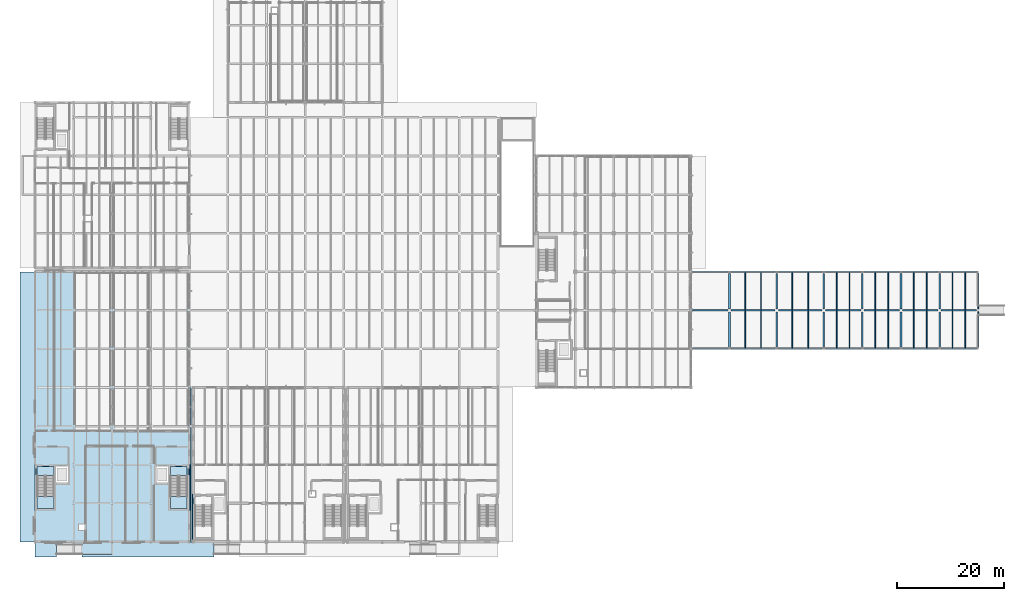
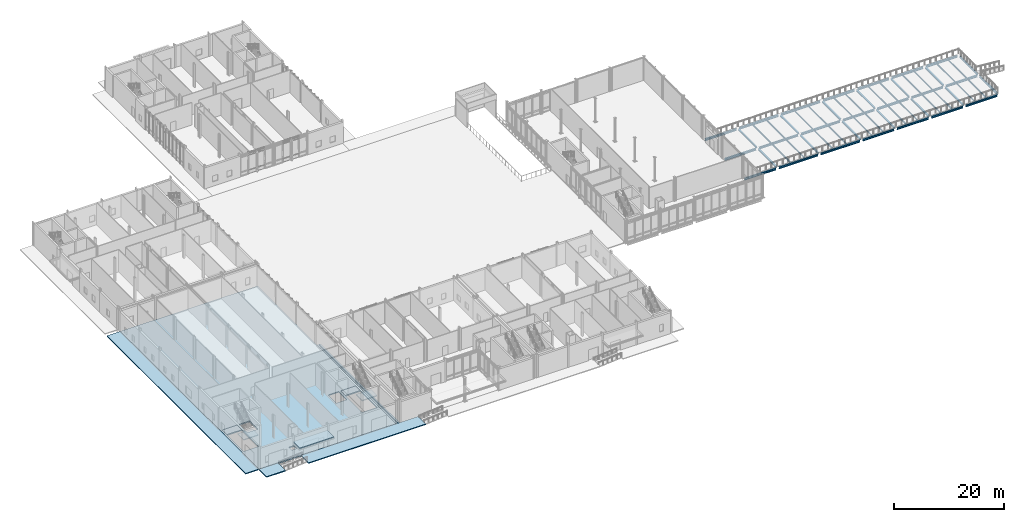
# One storey, part 39 of 89: 59 beams, 11 slabs, 2 elements without a shape of their own.
"""IFC4 building model written with IfcOpenShell, lengths in metres."""

from ifc_helpers import new_model, si_unit, direction, frame, origin, origin_2d, place, context, subcontext, project, spatial, polyline, i_section, outline, extrude, material, layer, layer_set, material_profile, profile_set, type_object, element, aggregate, save


model = new_model("IFC4")

# Units and contexts
model_context = context("Model", 3, precision=1e-05, world=origin(), true_north=direction((0.0, 1.0)))
body_context = subcontext(model_context, "Body", "Model", "MODEL_VIEW")
ifc_project = project(units=[si_unit("LENGTHUNIT", "METRE"), si_unit("AREAUNIT", "SQUARE_METRE"), si_unit("VOLUMEUNIT", "CUBIC_METRE"), si_unit("PLANEANGLEUNIT", "RADIAN"), si_unit("MASSUNIT", "GRAM", prefix="KILO")], contexts=[model_context])

# Site, building, storey
site_placement = place(None, origin())
site = spatial("IfcSite", under=ifc_project, at=site_placement, CompositionType="ELEMENT")
building_placement = place(site_placement, origin())
building = spatial("IfcBuilding", under=site, at=building_placement, Name="Zarrinpeak Specialist Clinic", CompositionType="ELEMENT")
storey_placement = place(building_placement, origin())
storey = spatial("IfcBuildingStorey", under=building, at=storey_placement, Name="L00", CompositionType="ELEMENT", Elevation=0.0)

# Beams
ifc_material_1 = material(Name="Steel S355", Category="steel")
ifc_material_profile_1 = material_profile(ifc_material_1, i_section(OverallWidth=0.300048828125, OverallDepth=0.2900390625, WebThickness=0.008544921875, FlangeThickness=0.013916015625, FilletRadius=0.027099609375, at=origin_2d()), Name="HEA 300")
ifc_profile_set_1 = profile_set([ifc_material_profile_1], Name="Steel S355")
beam_type_1 = type_object("IfcBeamType", Name="BM-HEA300", PredefinedType="BEAM", material=ifc_profile_set_1)
for number, where, z_axis, x_axis, name in (
    (1, (129.60009765625, 36.298095703125, -0.364990234375), (0.0, 1.0, 0.0), (-1.0, 0.0, 0.0), "L00 Primary Beam BM-L00-Y0399"),
    (2, (129.60009765625, 43.498046875, -0.364990234375), (0.0, 1.0, 0.0), (-1.0, 0.0, 0.0), "L00 Primary Beam BM-L00-Y0400"),
    (3, (138.39990234375, 36.298095703125, -0.364990234375), (0.0, 1.0, 0.0), (-1.0, 0.0, 0.0), "L00 Primary Beam BM-L00-Y0401"),
    (4, (138.39990234375, 43.498046875, -0.364990234375), (0.0, 1.0, 0.0), (-1.0, 0.0, 0.0), "L00 Primary Beam BM-L00-Y0402"),
    (5, (147.199951171875, 36.298095703125, -0.364990234375), (0.0, 1.0, 0.0), (-1.0, 0.0, 0.0), "L00 Primary Beam BM-L00-Y0403"),
    (6, (147.199951171875, 43.498046875, -0.364990234375), (0.0, 1.0, 0.0), (-1.0, 0.0, 0.0), "L00 Primary Beam BM-L00-Y0404"),
    (7, (154.39990234375, 36.298095703125, -0.364990234375), (0.0, 1.0, 0.0), (-1.0, 0.0, 0.0), "L00 Primary Beam BM-L00-Y0405"),
    (8, (154.39990234375, 43.498046875, -0.364990234375), (0.0, 1.0, 0.0), (-1.0, 0.0, 0.0), "L00 Primary Beam BM-L00-Y0406"),
    (9, (161.60009765625, 36.298095703125, -0.364990234375), (0.0, 1.0, 0.0), (-1.0, 0.0, 0.0), "L00 Primary Beam BM-L00-Y0407"),
    (10, (161.60009765625, 43.498046875, -0.364990234375), (0.0, 1.0, 0.0), (-1.0, 0.0, 0.0), "L00 Primary Beam BM-L00-Y0408"),
    (11, (168.800048828125, 36.298095703125, -0.364990234375), (0.0, 1.0, 0.0), (-1.0, 0.0, 0.0), "L00 Primary Beam BM-L00-Y0409"),
    (12, (168.800048828125, 43.498046875, -0.364990234375), (0.0, 1.0, 0.0), (-1.0, 0.0, 0.0), "L00 Primary Beam BM-L00-Y0410"),
):
    element("IfcBeam", number, at=place(storey_placement, frame(where, z_axis=z_axis, x_axis=x_axis)), inside=storey, type_object=beam_type_1, Name=name, PredefinedType="BEAM", context=body_context, shape_type="SweptSolid", body=[
        extrude(i_section(OverallWidth=0.300048828125, OverallDepth=0.2900390625, WebThickness=0.008544921875, FlangeThickness=0.013916015625, FilletRadius=0.027099609375, at=origin_2d()), origin(), (0.0, 0.0, 1.0), 6.60400390625),
    ])
ifc_material_profile_2 = material_profile(ifc_material_1, i_section(OverallWidth=0.300048828125, OverallDepth=0.43994140625, WebThickness=0.011474609375, FlangeThickness=0.02099609375, FilletRadius=0.027099609375, at=origin_2d()), Name="HEA 450")
ifc_profile_set_2 = profile_set([ifc_material_profile_2], Name="Steel S355")
beam_type_2 = type_object("IfcBeamType", Name="BM-HEA450", PredefinedType="BEAM", material=ifc_profile_set_2)
beam_placement = place(storey_placement, frame((122.697998046875, 36.0, -0.43994140625), z_axis=(1.0, 0.0, 0.0), x_axis=(0.0, 1.0, 0.0)))
element("IfcBeam", 13, at=beam_placement, inside=storey, type_object=beam_type_2, Name="L00 Primary Floor Girder BM-L00-X0071", PredefinedType="BEAM", context=body_context, shape_type="SweptSolid", body=[
    extrude(i_section(OverallWidth=0.300048828125, OverallDepth=0.43994140625, WebThickness=0.011474609375, FlangeThickness=0.02099609375, FilletRadius=0.027099609375, at=origin_2d()), origin(), (0.0, 0.0, 1.0), 6.60400390625),
])
for number, where, z_axis, x_axis, name in (
    (14, (129.89794921875, 36.0, -0.43994140625), (1.0, 0.0, 0.0), (0.0, 1.0, 0.0), "L00 Primary Floor Girder BM-L00-X0072"),
    (15, (138.697998046875, 36.0, -0.43994140625), (1.0, 0.0, 0.0), (0.0, 1.0, 0.0), "L00 Primary Floor Girder BM-L00-X0073"),
):
    element("IfcBeam", number, at=place(storey_placement, frame(where, z_axis=z_axis, x_axis=x_axis)), inside=storey, type_object=beam_type_2, Name=name, PredefinedType="BEAM", context=body_context, shape_type="SweptSolid", body=[
        extrude(i_section(OverallWidth=0.300048828125, OverallDepth=0.43994140625, WebThickness=0.011474609375, FlangeThickness=0.02099609375, FilletRadius=0.027099609375, at=origin_2d()), origin(), (0.0, 0.0, 1.0), 8.2041015625),
    ])
for number, where, z_axis, x_axis, name in (
    (16, (147.498046875, 36.0, -0.43994140625), (1.0, 0.0, 0.0), (0.0, 1.0, 0.0), "L00 Primary Floor Girder BM-L00-X0074"),
    (17, (154.697998046875, 36.0, -0.43994140625), (1.0, 0.0, 0.0), (0.0, 1.0, 0.0), "L00 Primary Floor Girder BM-L00-X0075"),
    (18, (161.89794921875, 36.0, -0.43994140625), (1.0, 0.0, 0.0), (0.0, 1.0, 0.0), "L00 Primary Floor Girder BM-L00-X0076"),
    (19, (169.097900390625, 36.0, -0.43994140625), (1.0, 0.0, 0.0), (0.0, 1.0, 0.0), "L00 Primary Floor Girder BM-L00-X0077"),
    (20, (122.697998046875, 43.199951171875, -0.43994140625), (1.0, 0.0, 0.0), (0.0, 1.0, 0.0), "L00 Primary Floor Girder BM-L00-X0095"),
):
    element("IfcBeam", number, at=place(storey_placement, frame(where, z_axis=z_axis, x_axis=x_axis)), inside=storey, type_object=beam_type_2, Name=name, PredefinedType="BEAM", context=body_context, shape_type="SweptSolid", body=[
        extrude(i_section(OverallWidth=0.300048828125, OverallDepth=0.43994140625, WebThickness=0.011474609375, FlangeThickness=0.02099609375, FilletRadius=0.027099609375, at=origin_2d()), origin(), (0.0, 0.0, 1.0), 6.60400390625),
    ])
for number, where, z_axis, x_axis, name in (
    (21, (129.89794921875, 43.199951171875, -0.43994140625), (1.0, 0.0, 0.0), (0.0, 1.0, 0.0), "L00 Primary Floor Girder BM-L00-X0096"),
    (22, (138.697998046875, 43.199951171875, -0.43994140625), (1.0, 0.0, 0.0), (0.0, 1.0, 0.0), "L00 Primary Floor Girder BM-L00-X0097"),
):
    element("IfcBeam", number, at=place(storey_placement, frame(where, z_axis=z_axis, x_axis=x_axis)), inside=storey, type_object=beam_type_2, Name=name, PredefinedType="BEAM", context=body_context, shape_type="SweptSolid", body=[
        extrude(i_section(OverallWidth=0.300048828125, OverallDepth=0.43994140625, WebThickness=0.011474609375, FlangeThickness=0.02099609375, FilletRadius=0.027099609375, at=origin_2d()), origin(), (0.0, 0.0, 1.0), 8.2041015625),
    ])
for number, where, z_axis, x_axis, name in (
    (23, (147.498046875, 43.199951171875, -0.43994140625), (1.0, 0.0, 0.0), (0.0, 1.0, 0.0), "L00 Primary Floor Girder BM-L00-X0098"),
    (24, (154.697998046875, 43.199951171875, -0.43994140625), (1.0, 0.0, 0.0), (0.0, 1.0, 0.0), "L00 Primary Floor Girder BM-L00-X0099"),
    (25, (161.89794921875, 43.199951171875, -0.43994140625), (1.0, 0.0, 0.0), (0.0, 1.0, 0.0), "L00 Primary Floor Girder BM-L00-X0100"),
    (26, (169.097900390625, 43.199951171875, -0.43994140625), (1.0, 0.0, 0.0), (0.0, 1.0, 0.0), "L00 Primary Floor Girder BM-L00-X0101"),
    (27, (122.697998046875, 50.39990234375, -0.43994140625), (1.0, 0.0, 0.0), (0.0, 1.0, 0.0), "L00 Primary Floor Girder BM-L00-X0117"),
):
    element("IfcBeam", number, at=place(storey_placement, frame(where, z_axis=z_axis, x_axis=x_axis)), inside=storey, type_object=beam_type_2, Name=name, PredefinedType="BEAM", context=body_context, shape_type="SweptSolid", body=[
        extrude(i_section(OverallWidth=0.300048828125, OverallDepth=0.43994140625, WebThickness=0.011474609375, FlangeThickness=0.02099609375, FilletRadius=0.027099609375, at=origin_2d()), origin(), (0.0, 0.0, 1.0), 6.60400390625),
    ])
for number, where, z_axis, x_axis, name in (
    (28, (129.89794921875, 50.39990234375, -0.43994140625), (1.0, 0.0, 0.0), (0.0, 1.0, 0.0), "L00 Primary Floor Girder BM-L00-X0118"),
    (29, (138.697998046875, 50.39990234375, -0.43994140625), (1.0, 0.0, 0.0), (0.0, 1.0, 0.0), "L00 Primary Floor Girder BM-L00-X0119"),
):
    element("IfcBeam", number, at=place(storey_placement, frame(where, z_axis=z_axis, x_axis=x_axis)), inside=storey, type_object=beam_type_2, Name=name, PredefinedType="BEAM", context=body_context, shape_type="SweptSolid", body=[
        extrude(i_section(OverallWidth=0.300048828125, OverallDepth=0.43994140625, WebThickness=0.011474609375, FlangeThickness=0.02099609375, FilletRadius=0.027099609375, at=origin_2d()), origin(), (0.0, 0.0, 1.0), 8.2041015625),
    ])
for number, where, z_axis, x_axis, name in (
    (30, (147.498046875, 50.39990234375, -0.43994140625), (1.0, 0.0, 0.0), (0.0, 1.0, 0.0), "L00 Primary Floor Girder BM-L00-X0120"),
    (31, (154.697998046875, 50.39990234375, -0.43994140625), (1.0, 0.0, 0.0), (0.0, 1.0, 0.0), "L00 Primary Floor Girder BM-L00-X0121"),
    (32, (161.89794921875, 50.39990234375, -0.43994140625), (1.0, 0.0, 0.0), (0.0, 1.0, 0.0), "L00 Primary Floor Girder BM-L00-X0122"),
    (33, (169.097900390625, 50.39990234375, -0.43994140625), (1.0, 0.0, 0.0), (0.0, 1.0, 0.0), "L00 Primary Floor Girder BM-L00-X0123"),
):
    element("IfcBeam", number, at=place(storey_placement, frame(where, z_axis=z_axis, x_axis=x_axis)), inside=storey, type_object=beam_type_2, Name=name, PredefinedType="BEAM", context=body_context, shape_type="SweptSolid", body=[
        extrude(i_section(OverallWidth=0.300048828125, OverallDepth=0.43994140625, WebThickness=0.011474609375, FlangeThickness=0.02099609375, FilletRadius=0.027099609375, at=origin_2d()), origin(), (0.0, 0.0, 1.0), 6.60400390625),
    ])
ifc_material_profile_3 = material_profile(ifc_material_1, i_section(OverallWidth=0.14990234375, OverallDepth=0.300048828125, WebThickness=0.007080078125, FlangeThickness=0.0107421875, FilletRadius=0.014892578125, at=origin_2d()), Name="IPE 300")
ifc_profile_set_3 = profile_set([ifc_material_profile_3], Name="Steel S355")
beam_type_3 = type_object("IfcBeamType", Name="BM-JST300", PredefinedType="JOIST", material=ifc_profile_set_3)
for number, where, z_axis, x_axis, name in (
    (34, (132.533203125, 36.14794921875, -0.3701171875), (0.0, 1.0, 0.0), (-1.0, 0.0, 0.0), "L00 Composite Floor Joist JST-L00-0688"),
    (35, (135.466796875, 36.14794921875, -0.3701171875), (0.0, 1.0, 0.0), (-1.0, 0.0, 0.0), "L00 Composite Floor Joist JST-L00-0689"),
    (36, (132.533203125, 43.347900390625, -0.3701171875), (0.0, 1.0, 0.0), (-1.0, 0.0, 0.0), "L00 Composite Floor Joist JST-L00-0690"),
    (37, (135.466796875, 43.347900390625, -0.3701171875), (0.0, 1.0, 0.0), (-1.0, 0.0, 0.0), "L00 Composite Floor Joist JST-L00-0691"),
    (38, (141.333251953125, 36.14794921875, -0.3701171875), (0.0, 1.0, 0.0), (-1.0, 0.0, 0.0), "L00 Composite Floor Joist JST-L00-0692"),
    (39, (144.2666015625, 36.14794921875, -0.3701171875), (0.0, 1.0, 0.0), (-1.0, 0.0, 0.0), "L00 Composite Floor Joist JST-L00-0693"),
    (40, (141.333251953125, 43.347900390625, -0.3701171875), (0.0, 1.0, 0.0), (-1.0, 0.0, 0.0), "L00 Composite Floor Joist JST-L00-0694"),
    (41, (144.2666015625, 43.347900390625, -0.3701171875), (0.0, 1.0, 0.0), (-1.0, 0.0, 0.0), "L00 Composite Floor Joist JST-L00-0695"),
    (42, (149.60009765625, 36.14794921875, -0.3701171875), (0.0, 1.0, 0.0), (-1.0, 0.0, 0.0), "L00 Composite Floor Joist JST-L00-0696"),
    (43, (152.0, 36.14794921875, -0.3701171875), (0.0, 1.0, 0.0), (-1.0, 0.0, 0.0), "L00 Composite Floor Joist JST-L00-0697"),
    (44, (149.60009765625, 43.347900390625, -0.3701171875), (0.0, 1.0, 0.0), (-1.0, 0.0, 0.0), "L00 Composite Floor Joist JST-L00-0698"),
    (45, (152.0, 43.347900390625, -0.3701171875), (0.0, 1.0, 0.0), (-1.0, 0.0, 0.0), "L00 Composite Floor Joist JST-L00-0699"),
    (46, (156.800048828125, 36.14794921875, -0.3701171875), (0.0, 1.0, 0.0), (-1.0, 0.0, 0.0), "L00 Composite Floor Joist JST-L00-0700"),
    (47, (159.199951171875, 36.14794921875, -0.3701171875), (0.0, 1.0, 0.0), (-1.0, 0.0, 0.0), "L00 Composite Floor Joist JST-L00-0701"),
    (48, (156.800048828125, 43.347900390625, -0.3701171875), (0.0, 1.0, 0.0), (-1.0, 0.0, 0.0), "L00 Composite Floor Joist JST-L00-0702"),
    (49, (159.199951171875, 43.347900390625, -0.3701171875), (0.0, 1.0, 0.0), (-1.0, 0.0, 0.0), "L00 Composite Floor Joist JST-L00-0703"),
    (50, (164.0, 36.14794921875, -0.3701171875), (0.0, 1.0, 0.0), (-1.0, 0.0, 0.0), "L00 Composite Floor Joist JST-L00-0704"),
    (51, (166.39990234375, 36.14794921875, -0.3701171875), (0.0, 1.0, 0.0), (-1.0, 0.0, 0.0), "L00 Composite Floor Joist JST-L00-0705"),
    (52, (164.0, 43.347900390625, -0.3701171875), (0.0, 1.0, 0.0), (-1.0, 0.0, 0.0), "L00 Composite Floor Joist JST-L00-0706"),
    (53, (166.39990234375, 43.347900390625, -0.3701171875), (0.0, 1.0, 0.0), (-1.0, 0.0, 0.0), "L00 Composite Floor Joist JST-L00-0707"),
    (54, (171.199951171875, 36.14794921875, -0.3701171875), (0.0, 1.0, 0.0), (-1.0, 0.0, 0.0), "L00 Composite Floor Joist JST-L00-0708"),
    (55, (173.60009765625, 36.14794921875, -0.3701171875), (0.0, 1.0, 0.0), (-1.0, 0.0, 0.0), "L00 Composite Floor Joist JST-L00-0709"),
    (56, (171.199951171875, 43.347900390625, -0.3701171875), (0.0, 1.0, 0.0), (-1.0, 0.0, 0.0), "L00 Composite Floor Joist JST-L00-0710"),
    (57, (173.60009765625, 43.347900390625, -0.3701171875), (0.0, 1.0, 0.0), (-1.0, 0.0, 0.0), "L00 Composite Floor Joist JST-L00-0711"),
):
    element("IfcBeam", number, at=place(storey_placement, frame(where, z_axis=z_axis, x_axis=x_axis)), inside=storey, type_object=beam_type_3, Name=name, PredefinedType="JOIST", context=body_context, shape_type="SweptSolid", body=[
        extrude(i_section(OverallWidth=0.14990234375, OverallDepth=0.300048828125, WebThickness=0.007080078125, FlangeThickness=0.0107421875, FilletRadius=0.014892578125, at=origin_2d()), origin(), (0.0, 0.0, 1.0), 6.904052734375),
    ])
ifc_material_profile_4 = material_profile(ifc_material_1, i_section(OverallWidth=0.18994140625, OverallDepth=0.449951171875, WebThickness=0.009521484375, FlangeThickness=0.0146484375, FilletRadius=0.02099609375, at=origin_2d()), Name="IPE 450")
ifc_profile_set_4 = profile_set([ifc_material_profile_4], Name="Steel S355")
beam_type_4 = type_object("IfcBeamType", Name="BM-SP450", PredefinedType="SPANDREL", material=ifc_profile_set_4)
for number, where, z_axis, x_axis, name in (
    (58, (176.0, 36.298095703125, -0.445068359375), (0.0, 1.0, 0.0), (-1.0, 0.0, 0.0), "L00 Perimeter Spandrel Beam BM-L00-Y0411"),
    (59, (176.0, 43.498046875, -0.445068359375), (0.0, 1.0, 0.0), (-1.0, 0.0, 0.0), "L00 Perimeter Spandrel Beam BM-L00-Y0412"),
):
    element("IfcBeam", number, at=place(storey_placement, frame(where, z_axis=z_axis, x_axis=x_axis)), inside=storey, type_object=beam_type_4, Name=name, PredefinedType="SPANDREL", context=body_context, shape_type="SweptSolid", body=[
        extrude(i_section(OverallWidth=0.18994140625, OverallDepth=0.449951171875, WebThickness=0.009521484375, FlangeThickness=0.0146484375, FilletRadius=0.02099609375, at=origin_2d()), origin(), (0.0, 0.0, 1.0), 6.60400390625),
    ])

# Slabs
ifc_layer_1 = layer(ifc_material_1, 0.199951171875)
ifc_layer_set_1 = layer_set([ifc_layer_1], Name="Steel S355")
slab_type_1 = type_object("IfcSlabType", Name="CAN-ENT", PredefinedType="ROOF", material=ifc_layer_set_1)
slab_1_placement = place(storey_placement, frame((0.0, 0.0, 3.39990234375)))
element("IfcSlab", 60, at=slab_1_placement, inside=storey, type_object=slab_type_1, Name="V1 South Main Entrance Canopy", PredefinedType="ROOF", context=body_context, shape_type="SweptSolid", body=[
    extrude(outline(polyline([(7.199951171875, -2.39990234375), (14.39990234375, -2.39990234375), (14.39990234375, 0.0), (7.199951171875, 0.0), (7.199951171875, -2.39990234375)])), origin(), (0.0, 0.0, 1.0), 0.2001953125),
])
ifc_material_2 = material(Name="Concrete C35/45", Category="concrete")
ifc_layer_2 = layer(ifc_material_2, 0.25)
ifc_layer_set_2 = layer_set([ifc_layer_2], Name="Concrete C35/45")
slab_type_2 = type_object("IfcSlabType", Name="SL-FLR250", PredefinedType="FLOOR", material=ifc_layer_set_2)
slab_2_placement = place(storey_placement, frame((0.0, 0.0, -0.25)))
element("IfcSlab", 61, at=slab_2_placement, inside=storey, type_object=slab_type_2, Name="L00 Suspended Clinical Floor Slab V1", PredefinedType="FLOOR", context=body_context, shape_type="SweptSolid", body=[
    extrude(outline(polyline([(0.0, 0.0), (28.800048828125, 0.0), (28.800048828125, 50.39990234375), (0.0, 50.39990234375), (0.0, 0.0)]), holes=[polyline([(0.39990234375, 6.25), (3.550048828125, 6.25), (3.550048828125, 14.050048828125), (0.39990234375, 14.050048828125), (0.39990234375, 6.25)]), polyline([(3.949951171875, 11.050048828125), (6.14990234375, 11.050048828125), (6.14990234375, 14.050048828125), (3.949951171875, 14.050048828125), (3.949951171875, 11.050048828125)]), polyline([(25.25, 6.25), (28.39990234375, 6.25), (28.39990234375, 14.050048828125), (25.25, 14.050048828125), (25.25, 6.25)]), polyline([(22.64990234375, 11.050048828125), (24.85009765625, 11.050048828125), (24.85009765625, 14.050048828125), (22.64990234375, 14.050048828125), (22.64990234375, 11.050048828125)]), polyline([(8.199951171875, 2.199951171875), (9.25, 2.199951171875), (9.25, 3.25), (8.199951171875, 3.25), (8.199951171875, 2.199951171875)])]), origin(), (0.0, 0.0, 1.0), 0.25),
])
slab_3_placement = place(storey_placement, frame((0.0, 0.0, -0.25)))
element("IfcSlab", 62, at=slab_3_placement, inside=storey, type_object=slab_type_2, Name="L00 Core C01 Stairwell Floor Landing Slab", PredefinedType="FLOOR", context=body_context, shape_type="SweptSolid", body=[
    extrude(outline(polyline([(0.39990234375, 12.35009765625), (3.550048828125, 12.35009765625), (3.550048828125, 14.050048828125), (0.39990234375, 14.050048828125), (0.39990234375, 12.35009765625)])), origin(), (0.0, 0.0, 1.0), 0.25),
])
slab_4_placement = place(storey_placement, frame((0.0, 0.0, -0.25)))
element("IfcSlab", 63, at=slab_4_placement, inside=storey, type_object=slab_type_2, Name="L00 Core C02 Stairwell Floor Landing Slab", PredefinedType="FLOOR", context=body_context, shape_type="SweptSolid", body=[
    extrude(outline(polyline([(25.25, 12.35009765625), (28.39990234375, 12.35009765625), (28.39990234375, 14.050048828125), (25.25, 14.050048828125), (25.25, 12.35009765625)])), origin(), (0.0, 0.0, 1.0), 0.25),
])

# Stair, slab
stair_type = type_object("IfcStairType", Name="ST-DOG", PredefinedType="HALF_TURN_STAIR", material=ifc_material_2)
stair_1_placement = place(storey_placement, origin())
stair_1 = element("IfcStair", 64, at=stair_1_placement, inside=storey, type_object=stair_type, Name="L00 Protected Exit Stair ST-01", PredefinedType="HALF_TURN_STAIR")
ifc_layer_3 = layer(ifc_material_2, 0.199951171875)
ifc_layer_set_3 = layer_set([ifc_layer_3], Name="Concrete C35/45")
slab_type_3 = type_object("IfcSlabType", Name="SL-LAND200", PredefinedType="LANDING", material=ifc_layer_set_3)
slab_5_placement = place(storey_placement, frame((0.0, 0.0, 2.39990234375)))
slab_5 = element("IfcSlab", 65, at=slab_5_placement, type_object=slab_type_3, Name="ST-01 landing 1", PredefinedType="LANDING", context=body_context, shape_type="SweptSolid", body=[
    extrude(outline(polyline([(0.39990234375, 8.429931640625), (0.39990234375, 6.25), (3.550048828125, 6.25), (3.550048828125, 8.429931640625), (0.39990234375, 8.429931640625)])), origin(), (0.0, 0.0, 1.0), 0.2001953125),
])
aggregate(stair_1, [slab_5])

stair_2_placement = place(storey_placement, origin())
stair_2 = element("IfcStair", 66, at=stair_2_placement, inside=storey, type_object=stair_type, Name="L00 Protected Exit Stair ST-02", PredefinedType="HALF_TURN_STAIR")
slab_6_placement = place(storey_placement, frame((0.0, 0.0, 2.39990234375)))
slab_6 = element("IfcSlab", 67, at=slab_6_placement, type_object=slab_type_3, Name="ST-02 landing 1", PredefinedType="LANDING", context=body_context, shape_type="SweptSolid", body=[
    extrude(outline(polyline([(25.25, 8.429931640625), (25.25, 6.25), (28.39990234375, 6.25), (28.39990234375, 8.429931640625), (25.25, 8.429931640625)])), origin(), (0.0, 0.0, 1.0), 0.2001953125),
])
aggregate(stair_2, [slab_6])

# Slabs
ifc_layer_4 = layer(ifc_material_2, 0.195068359375)
ifc_layer_set_4 = layer_set([ifc_layer_4], Name="Concrete C35/45")
slab_type_4 = type_object("IfcSlabType", Name="SL-TER195", PredefinedType="FLOOR", material=ifc_layer_set_4)
slab_7_placement = place(storey_placement, frame((0.0, 0.0, -0.195068359375)))
element("IfcSlab", 68, at=slab_7_placement, inside=storey, type_object=slab_type_4, Name="L00 South-West Corner Exit Apron Slab", PredefinedType="FLOOR", context=body_context, shape_type="SweptSolid", body=[
    extrude(outline(polyline([(0.0, -2.800048828125), (4.0, -2.800048828125), (4.0, 0.0), (0.0, 0.0), (0.0, -2.800048828125)])), origin(), (0.0, 0.0, 1.0), 0.195068359375),
])
slab_8_placement = place(storey_placement, frame((0.0, 0.0, -0.195068359375)))
element("IfcSlab", 69, at=slab_8_placement, inside=storey, type_object=slab_type_4, Name="L00 V1 South Promenade Entrance Apron Slab", PredefinedType="FLOOR", context=body_context, shape_type="SweptSolid", body=[
    extrude(outline(polyline([(8.800048828125, -2.800048828125), (33.39990234375, -2.800048828125), (33.39990234375, 0.0), (8.800048828125, 0.0), (8.800048828125, -2.800048828125)])), origin(), (0.0, 0.0, 1.0), 0.195068359375),
])
slab_9_placement = place(storey_placement, frame((0.0, 0.0, -0.195068359375)))
element("IfcSlab", 70, at=slab_9_placement, inside=storey, type_object=slab_type_4, Name="L00 V1 West Exit Promenade Apron Slab", PredefinedType="FLOOR", context=body_context, shape_type="SweptSolid", body=[
    extrude(outline(polyline([(-2.800048828125, 0.0), (0.0, 0.0), (0.0, 50.39990234375), (-2.800048828125, 50.39990234375), (-2.800048828125, 0.0)])), origin(), (0.0, 0.0, 1.0), 0.195068359375),
])
ifc_layer_5 = layer(ifc_material_2, 0.219970703125)
ifc_layer_set_5 = layer_set([ifc_layer_5], Name="Concrete C35/45")
slab_type_5 = type_object("IfcSlabType", Name="SL-TER220", PredefinedType="FLOOR", material=ifc_layer_set_5)
slab_10_placement = place(storey_placement, frame((0.0, 0.0, -0.219970703125)))
element("IfcSlab", 71, at=slab_10_placement, inside=storey, type_object=slab_type_5, Name="L00 Seismic Joint Promenade Deck Slab B01-SJ1A", PredefinedType="FLOOR", context=body_context, shape_type="SweptSolid", body=[
    extrude(outline(polyline([(28.800048828125, 0.0), (29.090087890625, 0.0), (29.090087890625, 28.800048828125), (28.800048828125, 28.800048828125), (28.800048828125, 0.0)])), origin(), (0.0, 0.0, 1.0), 0.219970703125),
])
slab_11_placement = place(storey_placement, frame((0.0, 0.0, -0.219970703125)))
element("IfcSlab", 72, at=slab_11_placement, inside=storey, type_object=slab_type_5, Name="L00 Seismic Joint Promenade Deck Slab B01-SJ1B", PredefinedType="FLOOR", context=body_context, shape_type="SweptSolid", body=[
    extrude(outline(polyline([(29.22998046875, 0.0), (29.52001953125, 0.0), (29.52001953125, 28.800048828125), (29.22998046875, 28.800048828125), (29.22998046875, 0.0)])), origin(), (0.0, 0.0, 1.0), 0.219970703125),
])

save(model, "model.ifc")
